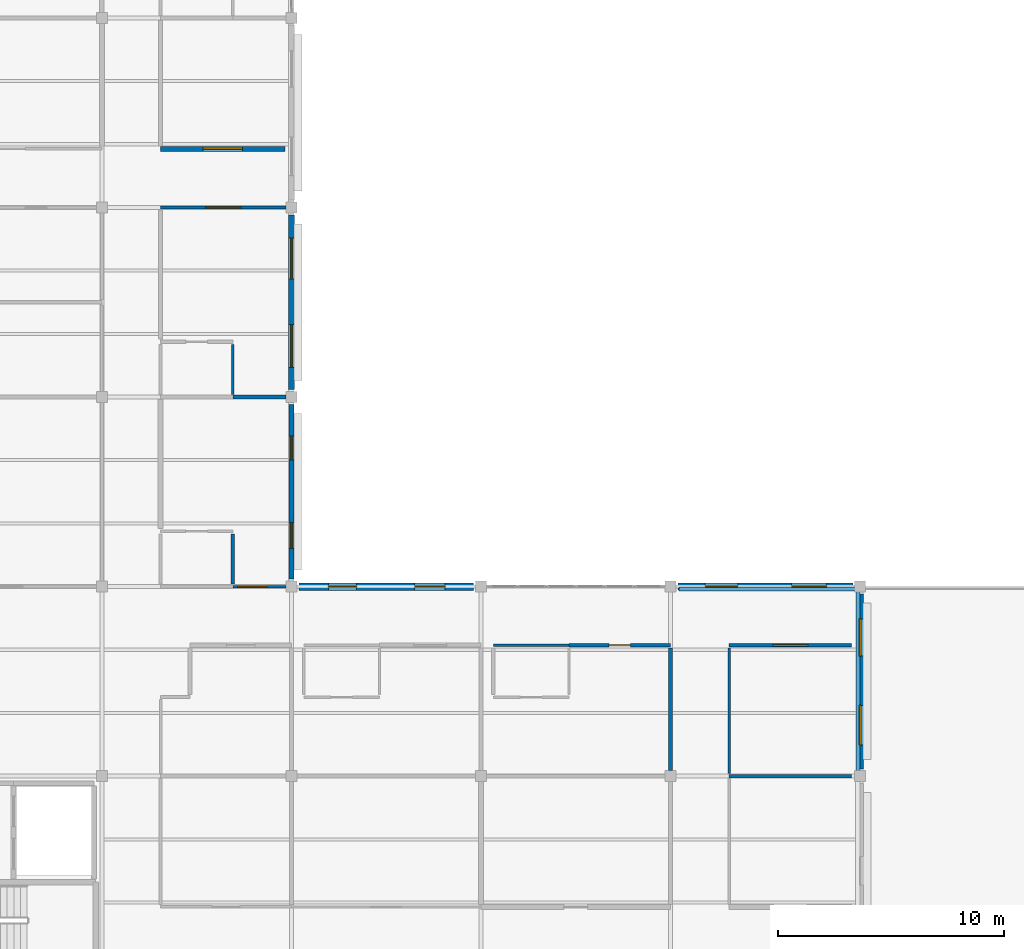
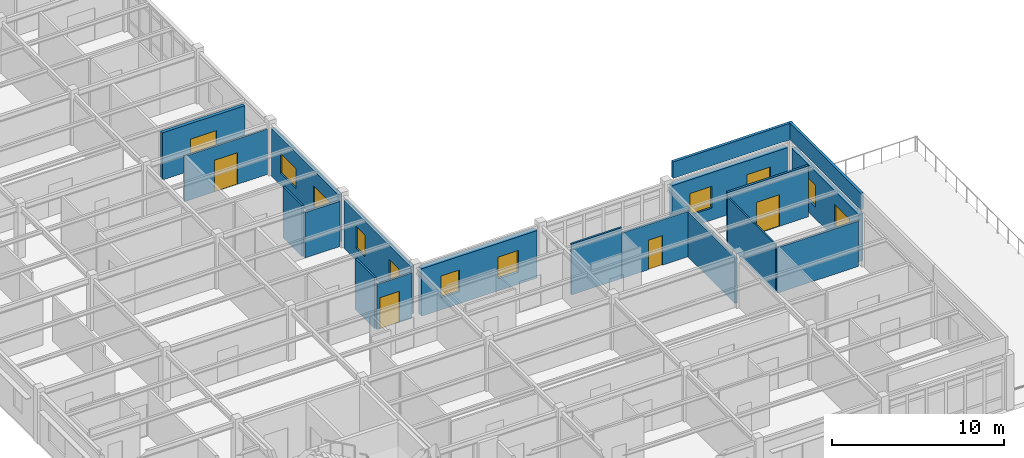
# One storey, part 37 of 53: 19 walls, 10 windows, 5 doors, 15 openings.
"""IFC4 building model written with IfcOpenShell, lengths in metres."""

from ifc_helpers import new_model, si_unit, direction, frame, frame_2d, origin, place, context, subcontext, project, spatial, rectangle, extrude, material, layer, layer_set, type_object, element, fill, save


model = new_model("IFC4")

# Units and contexts
model_context = context("Model", 3, precision=1e-05, world=origin(), true_north=direction((0.0, 1.0)))
body_context = subcontext(model_context, "Body", "Model", "MODEL_VIEW")
ifc_project = project(units=[si_unit("LENGTHUNIT", "METRE"), si_unit("AREAUNIT", "SQUARE_METRE"), si_unit("VOLUMEUNIT", "CUBIC_METRE"), si_unit("PLANEANGLEUNIT", "RADIAN"), si_unit("MASSUNIT", "GRAM", prefix="KILO")], contexts=[model_context])

# Site, building, storey
site_placement = place(None, origin())
site = spatial("IfcSite", under=ifc_project, at=site_placement, CompositionType="ELEMENT")
building_placement = place(site_placement, origin())
building = spatial("IfcBuilding", under=site, at=building_placement, Name="Bramfleet General Hospital", CompositionType="ELEMENT")
storey_placement = place(building_placement, frame((0.0, 0.0, 26.39990234375)))
storey = spatial("IfcBuildingStorey", under=building, at=storey_placement, Name="L06", CompositionType="ELEMENT", Elevation=26.39990234375)

# Wall, openings, windows
ifc_material_1 = material(Name="Precast concrete C40/50", Category="concrete")
ifc_layer_1 = layer(ifc_material_1, 0.3349609375, Name="WT-EW-03")
ifc_layer_set_1 = layer_set([ifc_layer_1], Name="Precast concrete C40/50")
wall_type_1 = type_object("IfcWallType", Name="WT-EW-03", PredefinedType="SOLIDWALL", material=ifc_layer_set_1)
wall_1_placement = place(storey_placement, frame((117.925048828125, 25.199951171875, 0.0), z_axis=(0.0, 0.0, 1.0), x_axis=(1.0, 0.0, 0.0)))
wall_1 = element("IfcWall", 1, at=wall_1_placement, inside=storey, type_object=wall_type_1, Name="L06 Exterior Wall 414", PredefinedType="SOLIDWALL", context=body_context, shape_type="SweptSolid", body=[
    extrude(rectangle(XDim=7.75, YDim=0.3349609375, at=frame_2d((3.875, 0.0))), origin(), (0.0, 0.0, 1.0), 3.360107421875),
])
opening_1_placement = place(wall_1_placement, frame((1.3125, 0.0, 0.85009765625)))
opening_1 = element("IfcOpeningElement", 2, at=opening_1_placement, cuts=wall_1, Name="Opening W-23", PredefinedType="OPENING", context=body_context, shape_type="SweptSolid", body=[
    extrude(rectangle(XDim=1.25, YDim=1.5400390625, at=frame_2d((0.625, 0.77001953125))), frame((0.0, 0.177490234375, 0.0), z_axis=(0.0, -1.0, 0.0), x_axis=(1.0, 0.0, 0.0)), (0.0, 0.0, 1.0), 0.35498046875),
])
opening_2_placement = place(wall_1_placement, frame((5.137451171875, 0.0, 0.85009765625)))
opening_2 = element("IfcOpeningElement", 3, at=opening_2_placement, cuts=wall_1, Name="Opening W-24", PredefinedType="OPENING", context=body_context, shape_type="SweptSolid", body=[
    extrude(rectangle(XDim=1.35009765625, YDim=1.5400390625, at=frame_2d((0.675048828125, 0.77001953125))), frame((0.0, 0.177490234375, 0.0), z_axis=(0.0, -1.0, 0.0), x_axis=(1.0, 0.0, 0.0)), (0.0, 0.0, 1.0), 0.35498046875),
])
ifc_material_2 = material(Name="Anodised aluminium and low-E triple glazing", Category="aluminium")
window_type_1 = type_object("IfcWindowType", Name="WIN-W-23", PartitioningType="SINGLE_PANEL", PredefinedType="WINDOW", material=ifc_material_2)
window_1_placement = place(opening_1_placement, origin())
window_1 = element("IfcWindow", 4, at=window_1_placement, inside=storey, type_object=window_type_1, Name="L06 Facade Window WIN-L06-414-1", OverallHeight=1.5400390625, OverallWidth=1.25, PartitioningType="SINGLE_PANEL", PredefinedType="WINDOW", context=body_context, shape_type="SweptSolid", body=[
    extrude(rectangle(XDim=1.25, YDim=1.5400390625, at=frame_2d((0.625, 0.77001953125))), frame((0.0, 0.030029296875, 0.0), z_axis=(0.0, -1.0, 0.0), x_axis=(1.0, 0.0, 0.0)), (0.0, 0.0, 1.0), 0.06005859375),
])
fill(opening_1, window_1)
window_type_2 = type_object("IfcWindowType", Name="WIN-W-24", PartitioningType="SINGLE_PANEL", PredefinedType="WINDOW", material=ifc_material_2)
window_2_placement = place(opening_2_placement, origin())
window_2 = element("IfcWindow", 5, at=window_2_placement, inside=storey, type_object=window_type_2, Name="L06 Facade Window WIN-L06-414-2", OverallHeight=1.5400390625, OverallWidth=1.35009765625, PartitioningType="SINGLE_PANEL", PredefinedType="WINDOW", context=body_context, shape_type="SweptSolid", body=[
    extrude(rectangle(XDim=1.35009765625, YDim=1.5400390625, at=frame_2d((0.675048828125, 0.77001953125))), frame((0.0, 0.030029296875, 0.0), z_axis=(0.0, -1.0, 0.0), x_axis=(1.0, 0.0, 0.0)), (0.0, 0.0, 1.0), 0.06005859375),
])
fill(opening_2, window_2)

ifc_layer_2 = layer(ifc_material_1, 0.31494140625, Name="WT-EW-04")
ifc_layer_set_2 = layer_set([ifc_layer_2], Name="Precast concrete C40/50")
wall_type_2 = type_object("IfcWallType", Name="WT-EW-04", PredefinedType="SOLIDWALL", material=ifc_layer_set_2)
wall_2_placement = place(storey_placement, frame((134.72509765625, 25.199951171875, 0.0), z_axis=(0.0, 0.0, 1.0), x_axis=(1.0, 0.0, 0.0)))
wall_2 = element("IfcWall", 6, at=wall_2_placement, inside=storey, type_object=wall_type_2, Name="L06 Exterior Wall 415", PredefinedType="SOLIDWALL", context=body_context, shape_type="SweptSolid", body=[
    extrude(rectangle(XDim=7.75, YDim=0.31494140625, at=frame_2d((3.875, 0.0))), origin(), (0.0, 0.0, 1.0), 3.360107421875),
])
opening_3_placement = place(wall_2_placement, frame((1.21240234375, 0.0, 0.85009765625)))
opening_3 = element("IfcOpeningElement", 7, at=opening_3_placement, cuts=wall_2, Name="Opening W-25", PredefinedType="OPENING", context=body_context, shape_type="SweptSolid", body=[
    extrude(rectangle(XDim=1.449951171875, YDim=1.5400390625, at=frame_2d((0.72509765625, 0.77001953125))), frame((0.0, 0.16748046875, 0.0), z_axis=(0.0, -1.0, 0.0), x_axis=(1.0, 0.0, 0.0)), (0.0, 0.0, 1.0), 0.3349609375),
])
opening_4_placement = place(wall_2_placement, frame((5.03759765625, 0.0, 0.85009765625)))
opening_4 = element("IfcOpeningElement", 8, at=opening_4_placement, cuts=wall_2, Name="Opening W-26", PredefinedType="OPENING", context=body_context, shape_type="SweptSolid", body=[
    extrude(rectangle(XDim=1.550048828125, YDim=1.5400390625, at=frame_2d((0.77490234375, 0.77001953125))), frame((0.0, 0.16748046875, 0.0), z_axis=(0.0, -1.0, 0.0), x_axis=(1.0, 0.0, 0.0)), (0.0, 0.0, 1.0), 0.3349609375),
])
window_type_3 = type_object("IfcWindowType", Name="WIN-W-25", PartitioningType="SINGLE_PANEL", PredefinedType="WINDOW", material=ifc_material_2)
window_3_placement = place(opening_3_placement, origin())
window_3 = element("IfcWindow", 9, at=window_3_placement, inside=storey, type_object=window_type_3, Name="L06 Facade Window WIN-L06-415-1", OverallHeight=1.5400390625, OverallWidth=1.449951171875, PartitioningType="SINGLE_PANEL", PredefinedType="WINDOW", context=body_context, shape_type="SweptSolid", body=[
    extrude(rectangle(XDim=1.449951171875, YDim=1.5400390625, at=frame_2d((0.72509765625, 0.77001953125))), frame((0.0, 0.030029296875, 0.0), z_axis=(0.0, -1.0, 0.0), x_axis=(1.0, 0.0, 0.0)), (0.0, 0.0, 1.0), 0.06005859375),
])
fill(opening_3, window_3)
window_type_4 = type_object("IfcWindowType", Name="WIN-W-26", PartitioningType="SINGLE_PANEL", PredefinedType="WINDOW", material=ifc_material_2)
window_4_placement = place(opening_4_placement, origin())
window_4 = element("IfcWindow", 10, at=window_4_placement, inside=storey, type_object=window_type_4, Name="L06 Facade Window WIN-L06-415-2", OverallHeight=1.5400390625, OverallWidth=1.550048828125, PartitioningType="SINGLE_PANEL", PredefinedType="WINDOW", context=body_context, shape_type="SweptSolid", body=[
    extrude(rectangle(XDim=1.550048828125, YDim=1.5400390625, at=frame_2d((0.77490234375, 0.77001953125))), frame((0.0, 0.030029296875, 0.0), z_axis=(0.0, -1.0, 0.0), x_axis=(1.0, 0.0, 0.0)), (0.0, 0.0, 1.0), 0.06005859375),
])
fill(opening_4, window_4)

ifc_layer_3 = layer(ifc_material_1, 0.294921875, Name="WT-EW-05")
ifc_layer_set_3 = layer_set([ifc_layer_3], Name="Precast concrete C40/50")
wall_type_3 = type_object("IfcWallType", Name="WT-EW-05", PredefinedType="SOLIDWALL", material=ifc_layer_set_3)
wall_3_placement = place(storey_placement, frame((142.800048828125, 24.875, 0.0), z_axis=(0.0, 0.0, 1.0), x_axis=(0.0, -1.0, 0.0)))
wall_3 = element("IfcWall", 11, at=wall_3_placement, inside=storey, type_object=wall_type_3, Name="L06 Exterior Wall 416", PredefinedType="SOLIDWALL", context=body_context, shape_type="SweptSolid", body=[
    extrude(rectangle(XDim=7.75, YDim=0.294921875, at=frame_2d((3.875, 0.0))), origin(), (0.0, 0.0, 1.0), 3.340087890625),
])
opening_5_placement = place(wall_3_placement, frame((1.112548828125, 0.0, 0.85009765625)))
opening_5 = element("IfcOpeningElement", 12, at=opening_5_placement, cuts=wall_3, Name="Opening W-27", PredefinedType="OPENING", context=body_context, shape_type="SweptSolid", body=[
    extrude(rectangle(XDim=1.64990234375, YDim=1.5400390625, at=frame_2d((0.824951171875, 0.77001953125))), frame((0.0, 0.157470703125, 0.0), z_axis=(0.0, -1.0, 0.0), x_axis=(1.0, 0.0, 0.0)), (0.0, 0.0, 1.0), 0.31494140625),
])
opening_6_placement = place(wall_3_placement, frame((4.9375, 0.0, 0.85009765625)))
opening_6 = element("IfcOpeningElement", 13, at=opening_6_placement, cuts=wall_3, Name="Opening W-28", PredefinedType="OPENING", context=body_context, shape_type="SweptSolid", body=[
    extrude(rectangle(XDim=1.75, YDim=1.5400390625, at=frame_2d((0.875, 0.77001953125))), frame((0.0, 0.157470703125, 0.0), z_axis=(0.0, -1.0, 0.0), x_axis=(1.0, 0.0, 0.0)), (0.0, 0.0, 1.0), 0.31494140625),
])
window_type_5 = type_object("IfcWindowType", Name="WIN-W-27", PartitioningType="SINGLE_PANEL", PredefinedType="WINDOW", material=ifc_material_2)
window_5_placement = place(opening_5_placement, origin())
window_5 = element("IfcWindow", 14, at=window_5_placement, inside=storey, type_object=window_type_5, Name="L06 Facade Window WIN-L06-416-1", OverallHeight=1.5400390625, OverallWidth=1.64990234375, PartitioningType="SINGLE_PANEL", PredefinedType="WINDOW", context=body_context, shape_type="SweptSolid", body=[
    extrude(rectangle(XDim=1.64990234375, YDim=1.5400390625, at=frame_2d((0.824951171875, 0.77001953125))), frame((0.0, 0.030029296875, 0.0), z_axis=(0.0, -1.0, 0.0), x_axis=(1.0, 0.0, 0.0)), (0.0, 0.0, 1.0), 0.06005859375),
])
fill(opening_5, window_5)
window_type_6 = type_object("IfcWindowType", Name="WIN-W-28", PartitioningType="SINGLE_PANEL", PredefinedType="WINDOW", material=ifc_material_2)
window_6_placement = place(opening_6_placement, origin())
window_6 = element("IfcWindow", 15, at=window_6_placement, inside=storey, type_object=window_type_6, Name="L06 Facade Window WIN-L06-416-2", OverallHeight=1.5400390625, OverallWidth=1.75, PartitioningType="SINGLE_PANEL", PredefinedType="WINDOW", context=body_context, shape_type="SweptSolid", body=[
    extrude(rectangle(XDim=1.75, YDim=1.5400390625, at=frame_2d((0.875, 0.77001953125))), frame((0.0, 0.030029296875, 0.0), z_axis=(0.0, -1.0, 0.0), x_axis=(1.0, 0.0, 0.0)), (0.0, 0.0, 1.0), 0.06005859375),
])
fill(opening_6, window_6)

ifc_layer_4 = layer(ifc_material_1, 0.25, Name="WT-EW-08")
ifc_layer_set_4 = layer_set([ifc_layer_4], Name="Precast concrete C40/50")
wall_type_4 = type_object("IfcWallType", Name="WT-EW-08", PredefinedType="SOLIDWALL", material=ifc_layer_set_4)
wall_4_placement = place(storey_placement, frame((117.60009765625, 41.675048828125, 0.0), z_axis=(0.0, 0.0, 1.0), x_axis=(0.0, -1.0, 0.0)))
wall_4 = element("IfcWall", 16, at=wall_4_placement, inside=storey, type_object=wall_type_4, Name="L06 Exterior Wall 412", PredefinedType="SOLIDWALL", context=body_context, shape_type="SweptSolid", body=[
    extrude(rectangle(XDim=7.75, YDim=0.25, at=frame_2d((3.875, 0.0))), origin(), (0.0, 0.0, 1.0), 3.380126953125),
])
opening_7_placement = place(wall_4_placement, frame((1.03759765625, 0.0, 0.85009765625)))
opening_7 = element("IfcOpeningElement", 17, at=opening_7_placement, cuts=wall_4, Name="Opening W-19", PredefinedType="OPENING", context=body_context, shape_type="SweptSolid", body=[
    extrude(rectangle(XDim=1.800048828125, YDim=1.419921875, at=frame_2d((0.89990234375, 0.7099609375))), frame((0.0, 0.135009765625, 0.0), z_axis=(0.0, -1.0, 0.0), x_axis=(1.0, 0.0, 0.0)), (0.0, 0.0, 1.0), 0.27001953125),
])
opening_8_placement = place(wall_4_placement, frame((4.862548828125, 0.0, 0.85009765625)))
opening_8 = element("IfcOpeningElement", 18, at=opening_8_placement, cuts=wall_4, Name="Opening W-20", PredefinedType="OPENING", context=body_context, shape_type="SweptSolid", body=[
    extrude(rectangle(XDim=1.89990234375, YDim=1.419921875, at=frame_2d((0.949951171875, 0.7099609375))), frame((0.0, 0.135009765625, 0.0), z_axis=(0.0, -1.0, 0.0), x_axis=(1.0, 0.0, 0.0)), (0.0, 0.0, 1.0), 0.27001953125),
])
window_type_7 = type_object("IfcWindowType", Name="WIN-W-19", PartitioningType="SINGLE_PANEL", PredefinedType="WINDOW", material=ifc_material_2)
window_7_placement = place(opening_7_placement, origin())
window_7 = element("IfcWindow", 19, at=window_7_placement, inside=storey, type_object=window_type_7, Name="L06 Facade Window WIN-L06-412-1", OverallHeight=1.419921875, OverallWidth=1.800048828125, PartitioningType="SINGLE_PANEL", PredefinedType="WINDOW", context=body_context, shape_type="SweptSolid", body=[
    extrude(rectangle(XDim=1.800048828125, YDim=1.419921875, at=frame_2d((0.89990234375, 0.7099609375))), frame((0.0, 0.030029296875, 0.0), z_axis=(0.0, -1.0, 0.0), x_axis=(1.0, 0.0, 0.0)), (0.0, 0.0, 1.0), 0.06005859375),
])
fill(opening_7, window_7)
window_type_8 = type_object("IfcWindowType", Name="WIN-W-20", PartitioningType="SINGLE_PANEL", PredefinedType="WINDOW", material=ifc_material_2)
window_8_placement = place(opening_8_placement, origin())
window_8 = element("IfcWindow", 20, at=window_8_placement, inside=storey, type_object=window_type_8, Name="L06 Facade Window WIN-L06-412-2", OverallHeight=1.419921875, OverallWidth=1.89990234375, PartitioningType="SINGLE_PANEL", PredefinedType="WINDOW", context=body_context, shape_type="SweptSolid", body=[
    extrude(rectangle(XDim=1.89990234375, YDim=1.419921875, at=frame_2d((0.949951171875, 0.7099609375))), frame((0.0, 0.030029296875, 0.0), z_axis=(0.0, -1.0, 0.0), x_axis=(1.0, 0.0, 0.0)), (0.0, 0.0, 1.0), 0.06005859375),
])
fill(opening_8, window_8)

ifc_layer_5 = layer(ifc_material_1, 0.235107421875, Name="WT-EW-09")
ifc_layer_set_5 = layer_set([ifc_layer_5], Name="Precast concrete C40/50")
wall_type_5 = type_object("IfcWallType", Name="WT-EW-09", PredefinedType="SOLIDWALL", material=ifc_layer_set_5)
wall_5_placement = place(storey_placement, frame((117.60009765625, 33.27490234375, 0.0), z_axis=(0.0, 0.0, 1.0), x_axis=(0.0, -1.0, 0.0)))
wall_5 = element("IfcWall", 21, at=wall_5_placement, inside=storey, type_object=wall_type_5, Name="L06 Exterior Wall 413", PredefinedType="SOLIDWALL", context=body_context, shape_type="SweptSolid", body=[
    extrude(rectangle(XDim=7.75, YDim=0.235107421875, at=frame_2d((3.875, 0.0))), origin(), (0.0, 0.0, 1.0), 3.380126953125),
])
opening_9_placement = place(wall_5_placement, frame((1.41259765625, 0.0, 0.85009765625)))
opening_9 = element("IfcOpeningElement", 22, at=opening_9_placement, cuts=wall_5, Name="Opening W-21", PredefinedType="OPENING", context=body_context, shape_type="SweptSolid", body=[
    extrude(rectangle(XDim=1.050048828125, YDim=1.5400390625, at=frame_2d((0.52490234375, 0.77001953125))), frame((0.0, 0.12744140625, 0.0), z_axis=(0.0, -1.0, 0.0), x_axis=(1.0, 0.0, 0.0)), (0.0, 0.0, 1.0), 0.255126953125),
])
opening_10_placement = place(wall_5_placement, frame((5.237548828125, 0.0, 0.85009765625)))
opening_10 = element("IfcOpeningElement", 23, at=opening_10_placement, cuts=wall_5, Name="Opening W-22", PredefinedType="OPENING", context=body_context, shape_type="SweptSolid", body=[
    extrude(rectangle(XDim=1.14990234375, YDim=1.5400390625, at=frame_2d((0.574951171875, 0.77001953125))), frame((0.0, 0.12744140625, 0.0), z_axis=(0.0, -1.0, 0.0), x_axis=(1.0, 0.0, 0.0)), (0.0, 0.0, 1.0), 0.255126953125),
])
window_type_9 = type_object("IfcWindowType", Name="WIN-W-21", PartitioningType="SINGLE_PANEL", PredefinedType="WINDOW", material=ifc_material_2)
window_9_placement = place(opening_9_placement, origin())
window_9 = element("IfcWindow", 24, at=window_9_placement, inside=storey, type_object=window_type_9, Name="L06 Facade Window WIN-L06-413-1", OverallHeight=1.5400390625, OverallWidth=1.050048828125, PartitioningType="SINGLE_PANEL", PredefinedType="WINDOW", context=body_context, shape_type="SweptSolid", body=[
    extrude(rectangle(XDim=1.050048828125, YDim=1.5400390625, at=frame_2d((0.52490234375, 0.77001953125))), frame((0.0, 0.030029296875, 0.0), z_axis=(0.0, -1.0, 0.0), x_axis=(1.0, 0.0, 0.0)), (0.0, 0.0, 1.0), 0.06005859375),
])
fill(opening_9, window_9)
window_type_10 = type_object("IfcWindowType", Name="WIN-W-22", PartitioningType="SINGLE_PANEL", PredefinedType="WINDOW", material=ifc_material_2)
window_10_placement = place(opening_10_placement, origin())
window_10 = element("IfcWindow", 25, at=window_10_placement, inside=storey, type_object=window_type_10, Name="L06 Facade Window WIN-L06-413-2", OverallHeight=1.5400390625, OverallWidth=1.14990234375, PartitioningType="SINGLE_PANEL", PredefinedType="WINDOW", context=body_context, shape_type="SweptSolid", body=[
    extrude(rectangle(XDim=1.14990234375, YDim=1.5400390625, at=frame_2d((0.574951171875, 0.77001953125))), frame((0.0, 0.030029296875, 0.0), z_axis=(0.0, -1.0, 0.0), x_axis=(1.0, 0.0, 0.0)), (0.0, 0.0, 1.0), 0.06005859375),
])
fill(opening_10, window_10)

# Wall, opening, door
ifc_material_3 = material(Name="Concrete C35/45", Category="concrete")
ifc_layer_6 = layer(ifc_material_3, 0.219970703125, Name="WT-IW-01")
ifc_layer_set_6 = layer_set([ifc_layer_6], Name="Concrete C35/45")
wall_type_6 = type_object("IfcWallType", Name="WT-IW-01", PredefinedType="PARTITIONING", material=ifc_layer_set_6)
wall_6_placement = place(storey_placement, frame((111.800048828125, 44.60009765625, 0.0), z_axis=(0.0, 0.0, 1.0), x_axis=(1.0, 0.0, 0.0)))
wall_6 = element("IfcWall", 26, at=wall_6_placement, inside=storey, type_object=wall_type_6, Name="L06 Interior Partition IW-L06-3889", PredefinedType="PARTITIONING", context=body_context, shape_type="SweptSolid", body=[
    extrude(rectangle(XDim=5.52001953125, YDim=0.219970703125, at=frame_2d((2.760009765625, 0.0))), origin(), (0.0, 0.0, 1.0), 3.340087890625),
])
opening_11_placement = place(wall_6_placement, frame((1.889892578125, 0.0, 0.0)))
opening_11 = element("IfcOpeningElement", 27, at=opening_11_placement, cuts=wall_6, Name="Opening D1491", PredefinedType="OPENING", context=body_context, shape_type="SweptSolid", body=[
    extrude(rectangle(XDim=1.739990234375, YDim=2.239990234375, at=frame_2d((0.8701171875, 1.1201171875))), frame((0.0, 0.119873046875, 0.0), z_axis=(0.0, -1.0, 0.0), x_axis=(1.0, 0.0, 0.0)), (0.0, 0.0, 1.0), 0.239990234375),
])
ifc_material_4 = material(Name="Stainless steel and acoustic timber leaf", Category="steel")
door_type_1 = type_object("IfcDoorType", Name="DR-D-19", OperationType="NOTDEFINED", PredefinedType="DOOR", material=ifc_material_4)
door_1_placement = place(opening_11_placement, origin())
door_1 = element("IfcDoor", 28, at=door_1_placement, inside=storey, type_object=door_type_1, Name="Oncology and Neurology Ward Bedroom L06-1305 Door D1491", OperationType="DOUBLE_SWING_RIGHT", OverallHeight=2.239990234375, OverallWidth=1.739990234375, PredefinedType="DOOR", context=body_context, shape_type="SweptSolid", body=[
    extrude(rectangle(XDim=1.739990234375, YDim=2.239990234375, at=frame_2d((0.8701171875, 1.1201171875))), frame((0.0, 0.02490234375, 0.0), z_axis=(0.0, -1.0, 0.0), x_axis=(1.0, 0.0, 0.0)), (0.0, 0.0, 1.0), 0.050048828125),
])
fill(opening_11, door_1)

# Wall
ifc_material_5 = material(Name="Gypsum plasterboard on acoustic steel studs", Category="steel")
ifc_layer_7 = layer(ifc_material_5, 0.169921875, Name="WT-IW-05")
ifc_layer_set_7 = layer_set([ifc_layer_7], Name="Gypsum plasterboard on acoustic steel studs")
wall_type_7 = type_object("IfcWallType", Name="WT-IW-05", PredefinedType="PARTITIONING", material=ifc_layer_set_7)
wall_7_placement = place(storey_placement, frame((115.0, 33.60009765625, 0.0), z_axis=(0.0, 0.0, 1.0), x_axis=(1.0, 0.0, 0.0)))
element("IfcWall", 29, at=wall_7_placement, inside=storey, type_object=wall_type_7, Name="L06 Interior Partition IW-L06-3881", PredefinedType="PARTITIONING", context=body_context, shape_type="SweptSolid", body=[
    extrude(rectangle(XDim=2.35498046875, YDim=0.169921875, at=frame_2d((1.177490234375, 0.0))), origin(), (0.0, 0.0, 1.0), 3.210205078125),
])

# Wall, opening, door
ifc_layer_8 = layer(ifc_material_5, 0.159912109375, Name="WT-IW-06")
ifc_layer_set_8 = layer_set([ifc_layer_8], Name="Gypsum plasterboard on acoustic steel studs")
wall_type_8 = type_object("IfcWallType", Name="WT-IW-06", PredefinedType="PARTITIONING", material=ifc_layer_set_8)
wall_8_placement = place(storey_placement, frame((129.89990234375, 22.60009765625, 0.0), z_axis=(0.0, 0.0, 1.0), x_axis=(1.0, 0.0, 0.0)))
wall_8 = element("IfcWall", 30, at=wall_8_placement, inside=storey, type_object=wall_type_8, Name="L06 Interior Partition IW-L06-3870", PredefinedType="PARTITIONING", context=body_context, shape_type="SweptSolid", body=[
    extrude(rectangle(XDim=4.5, YDim=0.159912109375, at=frame_2d((2.25, 0.0))), origin(), (0.0, 0.0, 1.0), 3.210205078125),
])
opening_12_placement = place(wall_8_placement, frame((1.77490234375, 0.0, 0.0)))
opening_12 = element("IfcOpeningElement", 31, at=opening_12_placement, cuts=wall_8, Name="Opening D1514", PredefinedType="OPENING", context=body_context, shape_type="SweptSolid", body=[
    extrude(rectangle(XDim=0.949951171875, YDim=2.10009765625, at=frame_2d((0.47509765625, 1.050048828125))), frame((0.0, 0.08984375, 0.0), z_axis=(0.0, -1.0, 0.0), x_axis=(1.0, 0.0, 0.0)), (0.0, 0.0, 1.0), 0.179931640625),
])
door_type_2 = type_object("IfcDoorType", Name="DR-D-10", OperationType="NOTDEFINED", PredefinedType="DOOR", material=ifc_material_4)
door_2_placement = place(opening_12_placement, origin())
door_2 = element("IfcDoor", 32, at=door_2_placement, inside=storey, type_object=door_type_2, Name="Oncology and Neurology Ward Bedroom L06-1502 Door D1514", OperationType="SINGLE_SWING_LEFT", OverallHeight=2.10009765625, OverallWidth=0.949951171875, PredefinedType="DOOR", context=body_context, shape_type="SweptSolid", body=[
    extrude(rectangle(XDim=0.949951171875, YDim=2.10009765625, at=frame_2d((0.47509765625, 1.050048828125))), frame((0.0, 0.02490234375, 0.0), z_axis=(0.0, -1.0, 0.0), x_axis=(1.0, 0.0, 0.0)), (0.0, 0.0, 1.0), 0.050048828125),
])
fill(opening_12, door_2)

# Walls
wall_9_placement = place(storey_placement, frame((134.39990234375, 17.044921875, 0.0), z_axis=(0.0, 0.0, 1.0), x_axis=(0.0, 1.0, 0.0)))
element("IfcWall", 33, at=wall_9_placement, inside=storey, type_object=wall_type_8, Name="L06 Interior Partition IW-L06-4110", PredefinedType="PARTITIONING", context=body_context, shape_type="SweptSolid", body=[
    extrude(rectangle(XDim=5.440185546875, YDim=0.159912109375, at=frame_2d((2.72021484375, 0.0))), origin(), (0.0, 0.0, 1.0), 3.210205078125),
])
ifc_layer_9 = layer(ifc_material_5, 0.14990234375, Name="WT-IW-07")
ifc_layer_set_9 = layer_set([ifc_layer_9], Name="Gypsum plasterboard on acoustic steel studs")
wall_type_9 = type_object("IfcWallType", Name="WT-IW-07", PredefinedType="PARTITIONING", material=ifc_layer_set_9)
wall_10_placement = place(storey_placement, frame((137.0, 16.800048828125, 0.0), z_axis=(0.0, 0.0, 1.0), x_axis=(1.0, 0.0, 0.0)))
element("IfcWall", 34, at=wall_10_placement, inside=storey, type_object=wall_type_9, Name="L06 Interior Partition IW-L06-3859", PredefinedType="PARTITIONING", context=body_context, shape_type="SweptSolid", body=[
    extrude(rectangle(XDim=5.41748046875, YDim=0.14990234375, at=frame_2d((2.708740234375, 0.0))), origin(), (0.0, 0.0, 1.0), 3.210205078125),
])

# Wall, opening, door
wall_11_placement = place(storey_placement, frame((137.0, 22.60009765625, 0.0), z_axis=(0.0, 0.0, 1.0), x_axis=(1.0, 0.0, 0.0)))
wall_11 = element("IfcWall", 35, at=wall_11_placement, inside=storey, type_object=wall_type_9, Name="L06 Interior Partition IW-L06-3871", PredefinedType="PARTITIONING", context=body_context, shape_type="SweptSolid", body=[
    extrude(rectangle(XDim=5.425048828125, YDim=0.14990234375, at=frame_2d((2.71240234375, 0.0))), origin(), (0.0, 0.0, 1.0), 3.610107421875),
])
opening_13_placement = place(wall_11_placement, frame((1.9423828125, 0.0, 0.0)))
opening_13 = element("IfcOpeningElement", 36, at=opening_13_placement, cuts=wall_11, Name="Opening D1521", PredefinedType="OPENING", context=body_context, shape_type="SweptSolid", body=[
    extrude(rectangle(XDim=1.5400390625, YDim=2.239990234375, at=frame_2d((0.77001953125, 1.1201171875))), frame((0.0, 0.0849609375, 0.0), z_axis=(0.0, -1.0, 0.0), x_axis=(1.0, 0.0, 0.0)), (0.0, 0.0, 1.0), 0.169921875),
])
door_type_3 = type_object("IfcDoorType", Name="DR-D-17", OperationType="NOTDEFINED", PredefinedType="DOOR", material=ifc_material_4)
door_3_placement = place(opening_13_placement, origin())
door_3 = element("IfcDoor", 37, at=door_3_placement, inside=storey, type_object=door_type_3, Name="Patient Dayroom and Garden Lounge L06-1602 Door D1521", OperationType="SINGLE_SWING_RIGHT", OverallHeight=2.239990234375, OverallWidth=1.5400390625, PredefinedType="DOOR", context=body_context, shape_type="SweptSolid", body=[
    extrude(rectangle(XDim=1.5400390625, YDim=2.239990234375, at=frame_2d((0.77001953125, 1.1201171875))), frame((0.0, 0.02490234375, 0.0), z_axis=(0.0, -1.0, 0.0), x_axis=(1.0, 0.0, 0.0)), (0.0, 0.0, 1.0), 0.050048828125),
])
fill(opening_13, door_3)

# Walls
ifc_layer_10 = layer(ifc_material_5, 0.139892578125, Name="WT-IW-08")
ifc_layer_set_10 = layer_set([ifc_layer_10], Name="Gypsum plasterboard on acoustic steel studs")
wall_type_10 = type_object("IfcWallType", Name="WT-IW-08", PredefinedType="PARTITIONING", material=ifc_layer_set_10)
wall_12_placement = place(storey_placement, frame((115.0, 25.31494140625, 0.0), z_axis=(0.0, 0.0, 1.0), x_axis=(0.0, 1.0, 0.0)))
element("IfcWall", 38, at=wall_12_placement, inside=storey, type_object=wall_type_10, Name="L06 Interior Partition IW-L06-4076", PredefinedType="PARTITIONING", context=body_context, shape_type="SweptSolid", body=[
    extrude(rectangle(XDim=2.219970703125, YDim=0.139892578125, at=frame_2d((1.10986328125, 0.0))), origin(), (0.0, 0.0, 1.0), 3.610107421875),
])
ifc_layer_11 = layer(ifc_material_5, 0.1298828125, Name="WT-IW-09")
ifc_layer_set_11 = layer_set([ifc_layer_11], Name="Gypsum plasterboard on acoustic steel studs")
wall_type_11 = type_object("IfcWallType", Name="WT-IW-09", PredefinedType="PARTITIONING", material=ifc_layer_set_11)
wall_13_placement = place(storey_placement, frame((115.0, 33.715087890625, 0.0), z_axis=(0.0, 0.0, 1.0), x_axis=(0.0, 1.0, 0.0)))
element("IfcWall", 39, at=wall_13_placement, inside=storey, type_object=wall_type_11, Name="L06 Interior Partition IW-L06-4077", PredefinedType="PARTITIONING", context=body_context, shape_type="SweptSolid", body=[
    extrude(rectangle(XDim=2.219970703125, YDim=0.1298828125, at=frame_2d((1.10986328125, 0.0))), origin(), (0.0, 0.0, 1.0), 3.610107421875),
])
ifc_layer_12 = layer(ifc_material_5, 0.1201171875, Name="WT-IW-10")
ifc_layer_set_12 = layer_set([ifc_layer_12], Name="Gypsum plasterboard on acoustic steel studs")
wall_type_12 = type_object("IfcWallType", Name="WT-IW-10", PredefinedType="PARTITIONING", material=ifc_layer_set_12)
wall_14_placement = place(storey_placement, frame((126.550048828125, 22.60009765625, 0.0), z_axis=(0.0, 0.0, 1.0), x_axis=(1.0, 0.0, 0.0)))
element("IfcWall", 40, at=wall_14_placement, inside=storey, type_object=wall_type_12, Name="L06 Interior Partition IW-L06-3869", PredefinedType="PARTITIONING", context=body_context, shape_type="SweptSolid", body=[
    extrude(rectangle(XDim=3.349853515625, YDim=0.1201171875, at=frame_2d((1.6748046875, 0.0))), origin(), (0.0, 0.0, 1.0), 3.610107421875),
])

# Wall, opening, door
wall_15_placement = place(storey_placement, frame((111.800048828125, 42.0, 0.0), z_axis=(0.0, 0.0, 1.0), x_axis=(1.0, 0.0, 0.0)))
wall_15 = element("IfcWall", 41, at=wall_15_placement, inside=storey, type_object=wall_type_12, Name="L06 Interior Partition IW-L06-3886", PredefinedType="PARTITIONING", context=body_context, shape_type="SweptSolid", body=[
    extrude(rectangle(XDim=5.554931640625, YDim=0.1201171875, at=frame_2d((2.77734375, 0.0))), origin(), (0.0, 0.0, 1.0), 3.210205078125),
])
opening_14_placement = place(wall_15_placement, frame((2.007568359375, 0.0, 0.0)))
opening_14 = element("IfcOpeningElement", 42, at=opening_14_placement, cuts=wall_15, Name="Opening D1489", PredefinedType="OPENING", context=body_context, shape_type="SweptSolid", body=[
    extrude(rectangle(XDim=1.5400390625, YDim=2.239990234375, at=frame_2d((0.77001953125, 1.1201171875))), frame((0.0, 0.070068359375, 0.0), z_axis=(0.0, -1.0, 0.0), x_axis=(1.0, 0.0, 0.0)), (0.0, 0.0, 1.0), 0.14013671875),
])
door_4_placement = place(opening_14_placement, origin())
door_4 = element("IfcDoor", 43, at=door_4_placement, inside=storey, type_object=door_type_3, Name="Oncology and Neurology Ward Bedroom L06-1304 Door D1489", OperationType="SINGLE_SWING_RIGHT", OverallHeight=2.239990234375, OverallWidth=1.5400390625, PredefinedType="DOOR", context=body_context, shape_type="SweptSolid", body=[
    extrude(rectangle(XDim=1.5400390625, YDim=2.239990234375, at=frame_2d((0.77001953125, 1.1201171875))), frame((0.0, 0.02490234375, 0.0), z_axis=(0.0, -1.0, 0.0), x_axis=(1.0, 0.0, 0.0)), (0.0, 0.0, 1.0), 0.050048828125),
])
fill(opening_14, door_4)

ifc_layer_13 = layer(ifc_material_5, 0.112060546875, Name="WT-IW-11")
ifc_layer_set_13 = layer_set([ifc_layer_13], Name="Gypsum plasterboard on acoustic steel studs")
wall_type_13 = type_object("IfcWallType", Name="WT-IW-11", PredefinedType="PARTITIONING", material=ifc_layer_set_13)
wall_16_placement = place(storey_placement, frame((115.0, 25.199951171875, 0.0), z_axis=(0.0, 0.0, 1.0), x_axis=(1.0, 0.0, 0.0)))
wall_16 = element("IfcWall", 44, at=wall_16_placement, inside=storey, type_object=wall_type_13, Name="L06 Interior Partition IW-L06-3875", PredefinedType="PARTITIONING", context=body_context, shape_type="SweptSolid", body=[
    extrude(rectangle(XDim=2.35498046875, YDim=0.112060546875, at=frame_2d((1.177490234375, 0.0))), origin(), (0.0, 0.0, 1.0), 3.210205078125),
])
opening_15_placement = place(wall_16_placement, frame((0.210205078125, 0.0, 0.0)))
opening_15 = element("IfcOpeningElement", 45, at=opening_15_placement, cuts=wall_16, Name="Opening D1487", PredefinedType="OPENING", context=body_context, shape_type="SweptSolid", body=[
    extrude(rectangle(XDim=1.300048828125, YDim=2.199951171875, at=frame_2d((0.64990234375, 1.10009765625))), frame((0.0, 0.06591796875, 0.0), z_axis=(0.0, -1.0, 0.0), x_axis=(1.0, 0.0, 0.0)), (0.0, 0.0, 1.0), 0.132080078125),
])
door_type_4 = type_object("IfcDoorType", Name="DR-D-15", OperationType="NOTDEFINED", PredefinedType="DOOR", material=ifc_material_4)
door_5_placement = place(opening_15_placement, origin())
door_5 = element("IfcDoor", 46, at=door_5_placement, inside=storey, type_object=door_type_4, Name="Oncology and Neurology Ward Bedroom L06-1303 Door D1487", OperationType="SINGLE_SWING_RIGHT", OverallHeight=2.199951171875, OverallWidth=1.300048828125, PredefinedType="DOOR", context=body_context, shape_type="SweptSolid", body=[
    extrude(rectangle(XDim=1.300048828125, YDim=2.199951171875, at=frame_2d((0.64990234375, 1.10009765625))), frame((0.0, 0.02490234375, 0.0), z_axis=(0.0, -1.0, 0.0), x_axis=(1.0, 0.0, 0.0)), (0.0, 0.0, 1.0), 0.050048828125),
])
fill(opening_15, door_5)

# Walls
ifc_layer_14 = layer(ifc_material_5, 0.10009765625, Name="WT-IW-12")
ifc_layer_set_14 = layer_set([ifc_layer_14], Name="Gypsum plasterboard on acoustic steel studs")
wall_type_14 = type_object("IfcWallType", Name="WT-IW-12", PredefinedType="PARTITIONING", material=ifc_layer_set_14)
wall_17_placement = place(storey_placement, frame((137.0, 16.9150390625, 0.0), z_axis=(0.0, 0.0, 1.0), x_axis=(0.0, 1.0, 0.0)))
element("IfcWall", 47, at=wall_17_placement, inside=storey, type_object=wall_type_14, Name="L06 Interior Partition IW-L06-4116", PredefinedType="PARTITIONING", context=body_context, shape_type="SweptSolid", body=[
    extrude(rectangle(XDim=5.570068359375, YDim=0.10009765625, at=frame_2d((2.78515625, 0.0))), origin(), (0.0, 0.0, 1.0), 3.340087890625),
])
ifc_layer_15 = layer(ifc_material_1, 0.18505859375, Name="WT-PW-02")
ifc_layer_set_15 = layer_set([ifc_layer_15], Name="Precast concrete C40/50")
wall_type_15 = type_object("IfcWallType", Name="WT-PW-02", PredefinedType="PARAPET", material=ifc_layer_set_15)
wall_18_placement = place(storey_placement, frame((134.780029296875, 25.097412109375, 3.880126953125), z_axis=(0.0, 0.0, 1.0), x_axis=(1.0, 0.0, 0.0)))
element("IfcWall", 48, at=wall_18_placement, inside=storey, type_object=wall_type_15, Name="Roof Parapet Wall 95", PredefinedType="PARAPET", context=body_context, shape_type="SweptSolid", body=[
    extrude(rectangle(XDim=8.02001953125, YDim=0.18505859375, at=frame_2d((4.010009765625, 0.0))), origin(), (0.0, 0.0, 1.0), 1.169921875),
])
ifc_layer_16 = layer(ifc_material_1, 0.169921875, Name="WT-PW-03")
ifc_layer_set_16 = layer_set([ifc_layer_16], Name="Precast concrete C40/50")
wall_type_16 = type_object("IfcWallType", Name="WT-PW-03", PredefinedType="PARAPET", material=ifc_layer_set_16)
wall_19_placement = place(storey_placement, frame((142.705078125, 25.199951171875, 3.880126953125), z_axis=(0.0, 0.0, 1.0), x_axis=(0.0, -1.0, 0.0)))
element("IfcWall", 49, at=wall_19_placement, inside=storey, type_object=wall_type_16, Name="Roof Parapet Wall 96", PredefinedType="PARAPET", context=body_context, shape_type="SweptSolid", body=[
    extrude(rectangle(XDim=8.39990234375, YDim=0.169921875, at=frame_2d((4.199951171875, 0.0))), origin(), (0.0, 0.0, 1.0), 1.169921875),
])

save(model, "model.ifc")
